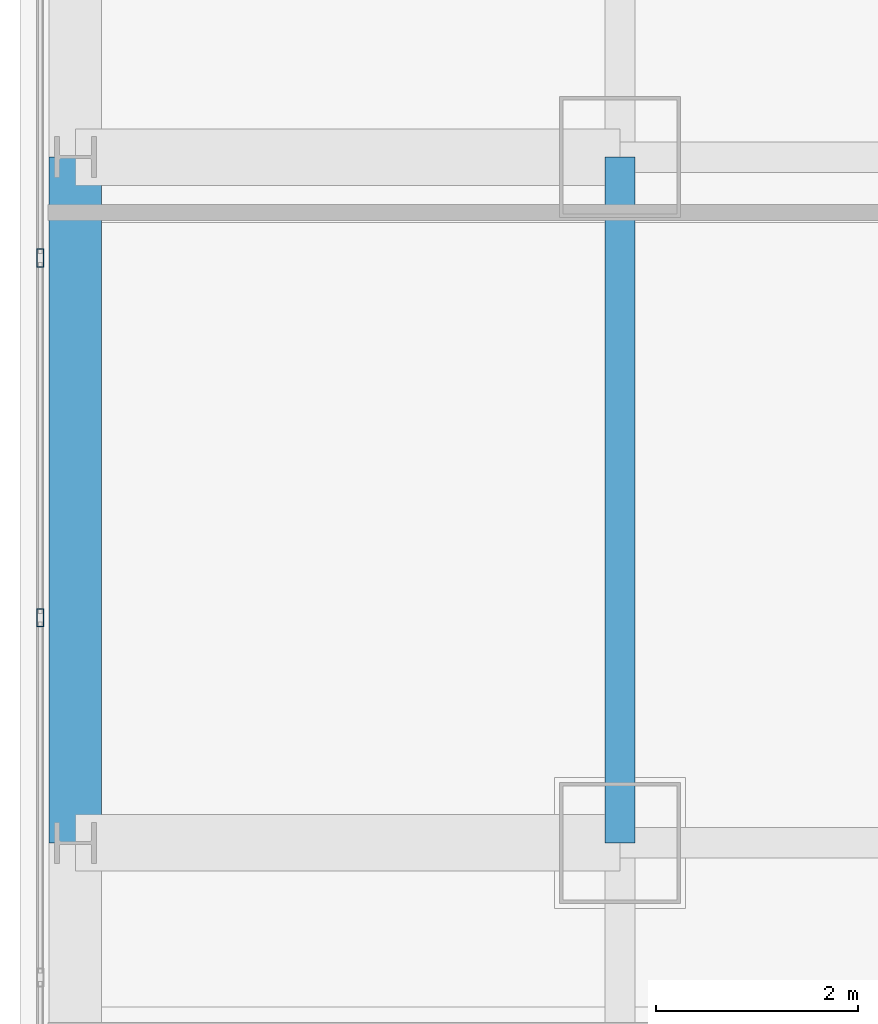
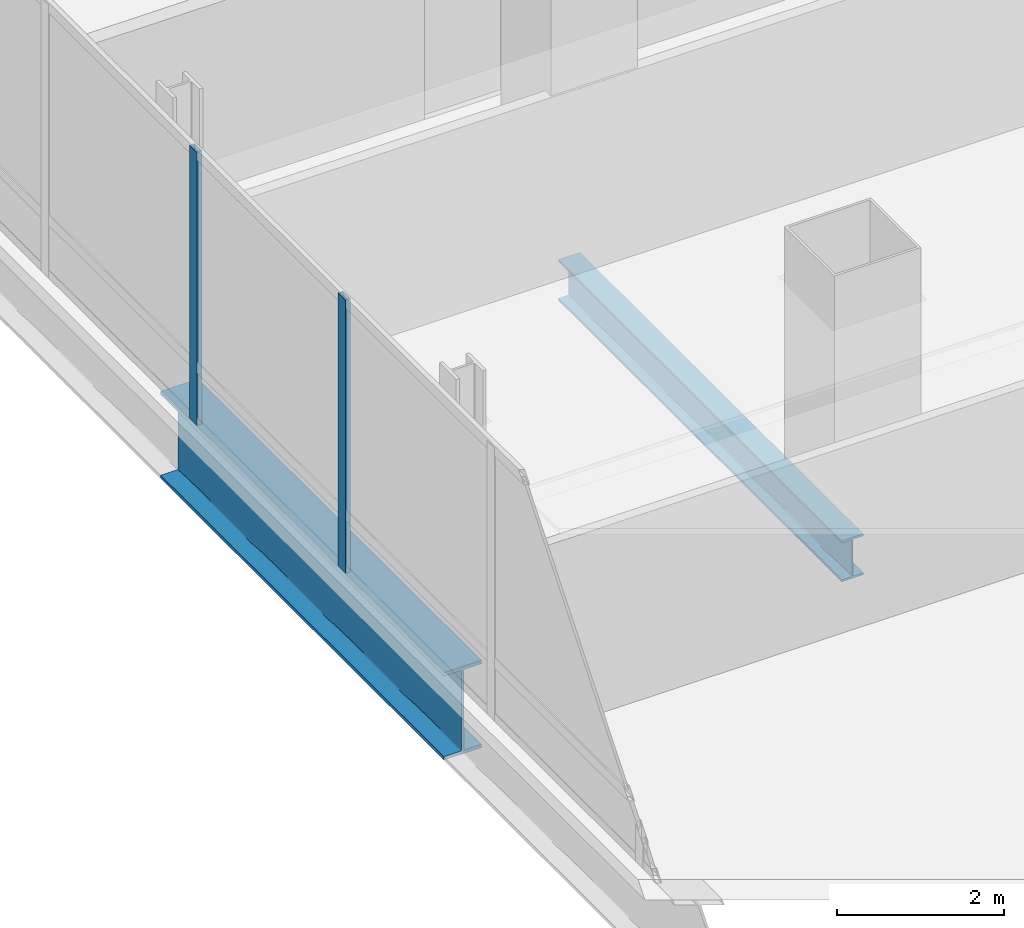
# One storey, part 11 of 41: 2 beams, 2 members, 1 element without a shape of its own.
"""IFC4 building model written with IfcOpenShell, lengths in metres."""

from ifc_helpers import new_model, si_unit, direction, frame, origin, origin_2d, place, context, subcontext, project, spatial, hollow_rectangle, i_section, extrude, material, material_profile, profile_set, type_object, element, aggregate, save


model = new_model("IFC4")

# Units and contexts
model_context = context("Model", 3, precision=1e-05, world=origin(), true_north=direction((0.0, 1.0)))
body_context = subcontext(model_context, "Body", "Model", "MODEL_VIEW")
ifc_project = project(units=[si_unit("LENGTHUNIT", "METRE"), si_unit("AREAUNIT", "SQUARE_METRE"), si_unit("VOLUMEUNIT", "CUBIC_METRE"), si_unit("PLANEANGLEUNIT", "RADIAN"), si_unit("MASSUNIT", "GRAM", prefix="KILO")], contexts=[model_context])

# Site, building, storey
site_placement = place(None, origin())
site = spatial("IfcSite", under=ifc_project, at=site_placement, CompositionType="ELEMENT")
building_placement = place(site_placement, origin())
building = spatial("IfcBuilding", under=site, at=building_placement, Name="Punatoya Terracotta Tower", CompositionType="ELEMENT")
storey_placement = place(building_placement, frame((0.0, 0.0, 309.0)))
storey = spatial("IfcBuildingStorey", under=building, at=storey_placement, Name="L73", CompositionType="ELEMENT", Elevation=309.0)

# Beams
ifc_material_1 = material(Name="Steel S355", Category="steel")
ifc_material_profile_1 = material_profile(ifc_material_1, i_section(OverallWidth=0.300048828125, OverallDepth=0.60009765625, WebThickness=0.015380859375, FlangeThickness=0.030029296875, FilletRadius=0.01806640625, at=origin_2d()))
ifc_profile_set_1 = profile_set([ifc_material_profile_1], Name="Steel S355")
beam_type_1 = type_object("IfcBeamType", Name="BM-PRI-600", PredefinedType="BEAM", material=ifc_profile_set_1)
beam_1_placement = place(storey_placement, frame((-19.10009765625, -3.39990234375, -0.5), z_axis=(0.0, 1.0, 0.0), x_axis=(-1.0, 0.0, 0.0)))
element("IfcBeam", 1, at=beam_1_placement, inside=storey, type_object=beam_type_1, Name="BM-L73-RG-W2", PredefinedType="BEAM", context=body_context, shape_type="SweptSolid", body=[
    extrude(i_section(OverallWidth=0.300048828125, OverallDepth=0.60009765625, WebThickness=0.015380859375, FlangeThickness=0.030029296875, FilletRadius=0.01806640625, at=origin_2d()), origin(), (0.0, 0.0, 1.0), 6.7998046875),
])
ifc_material_2 = material(Name="Steel S460", Category="steel")
ifc_material_profile_2 = material_profile(ifc_material_2, i_section(OverallWidth=0.52001953125, OverallDepth=1.280029296875, WebThickness=0.031982421875, FlangeThickness=0.050048828125, FilletRadius=0.01806640625, at=origin_2d()))
ifc_profile_set_2 = profile_set([ifc_material_profile_2], Name="Steel S460")
beam_type_2 = type_object("IfcBeamType", Name="BM-TG-NCK", PredefinedType="BEAM", material=ifc_profile_set_2)
beam_2_placement = place(storey_placement, frame((-24.5, -3.39990234375, -0.840087890625), z_axis=(0.0, 1.0, 0.0), x_axis=(-1.0, 0.0, 0.0)))
element("IfcBeam", 2, at=beam_2_placement, inside=storey, type_object=beam_type_2, Name="BM-L73-PER-W2", PredefinedType="BEAM", context=body_context, shape_type="SweptSolid", body=[
    extrude(i_section(OverallWidth=0.52001953125, OverallDepth=1.280029296875, WebThickness=0.031982421875, FlangeThickness=0.050048828125, FilletRadius=0.01806640625, at=origin_2d()), origin(), (0.0, 0.0, 1.0), 6.7998046875),
])

# Curtain wall, members
ifc_material_3 = material(Name="Aluminium 6063-T6 + Double Low-E Glass", Category="aluminium")
curtain_wall_type = type_object("IfcCurtainWallType", Name="CW-M3", PredefinedType="NOTDEFINED", material=ifc_material_3)
curtain_wall_placement = place(storey_placement, origin())
curtain_wall = element("IfcCurtainWall", 3, at=curtain_wall_placement, inside=storey, type_object=curtain_wall_type, Name="L73 Curtain Wall CW-L73-W13-1", PredefinedType="NOTDEFINED")
ifc_material_4 = material(Name="Aluminium 6063-T6", Category="aluminium")
ifc_material_profile_3 = material_profile(ifc_material_4, hollow_rectangle(XDim=0.070068359375, YDim=0.179931640625, WallThickness=0.00390625, at=origin_2d()))
ifc_profile_set_3 = profile_set([ifc_material_profile_3], Name="Aluminium 6063-T6")
member_type = type_object("IfcMemberType", Name="CW-MUL-M3", PredefinedType="MULLION", material=ifc_profile_set_3)
member_1_placement = place(storey_placement, frame((-24.85009765625, 2.39990234375, 0.0), z_axis=(0.0, 0.0, 1.0), x_axis=(1.0, 0.0, 0.0)))
member_1 = element("IfcMember", 4, at=member_1_placement, type_object=member_type, Name="CW-L73-W13-1 Mullion 05", PredefinedType="MULLION", context=body_context, shape_type="SweptSolid", body=[
    extrude(hollow_rectangle(XDim=0.070068359375, YDim=0.179931640625, WallThickness=0.00390625, at=origin_2d()), origin(), (0.0, 0.0, 1.0), 4.0),
])
member_2_placement = place(storey_placement, frame((-24.85009765625, -1.16748046875, 0.0), z_axis=(0.0, 0.0, 1.0), x_axis=(1.0, 0.0, 0.0)))
member_2 = element("IfcMember", 5, at=member_2_placement, type_object=member_type, Name="CW-L73-W13-1 Mullion 06", PredefinedType="MULLION", context=body_context, shape_type="SweptSolid", body=[
    extrude(hollow_rectangle(XDim=0.070068359375, YDim=0.179931640625, WallThickness=0.00390625, at=origin_2d()), origin(), (0.0, 0.0, 1.0), 4.0),
])
aggregate(curtain_wall, [member_1, member_2])

save(model, "model.ifc")
